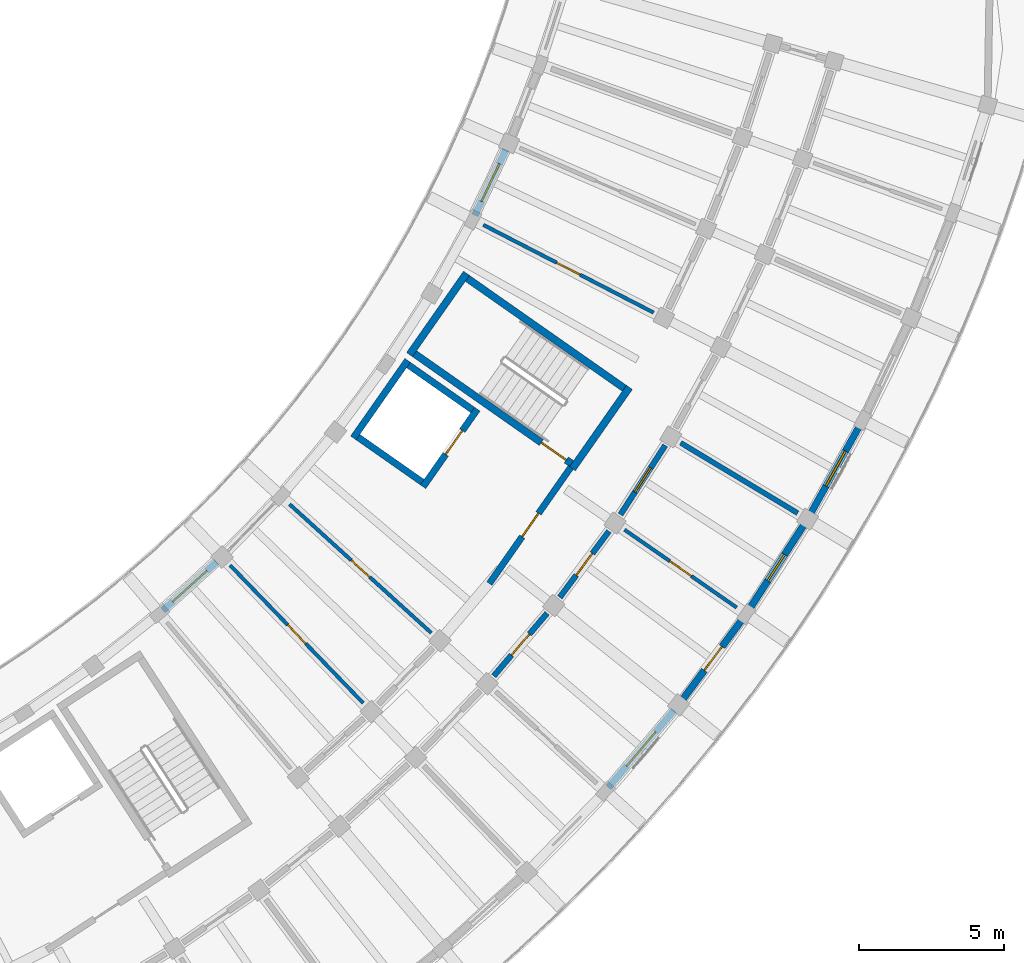
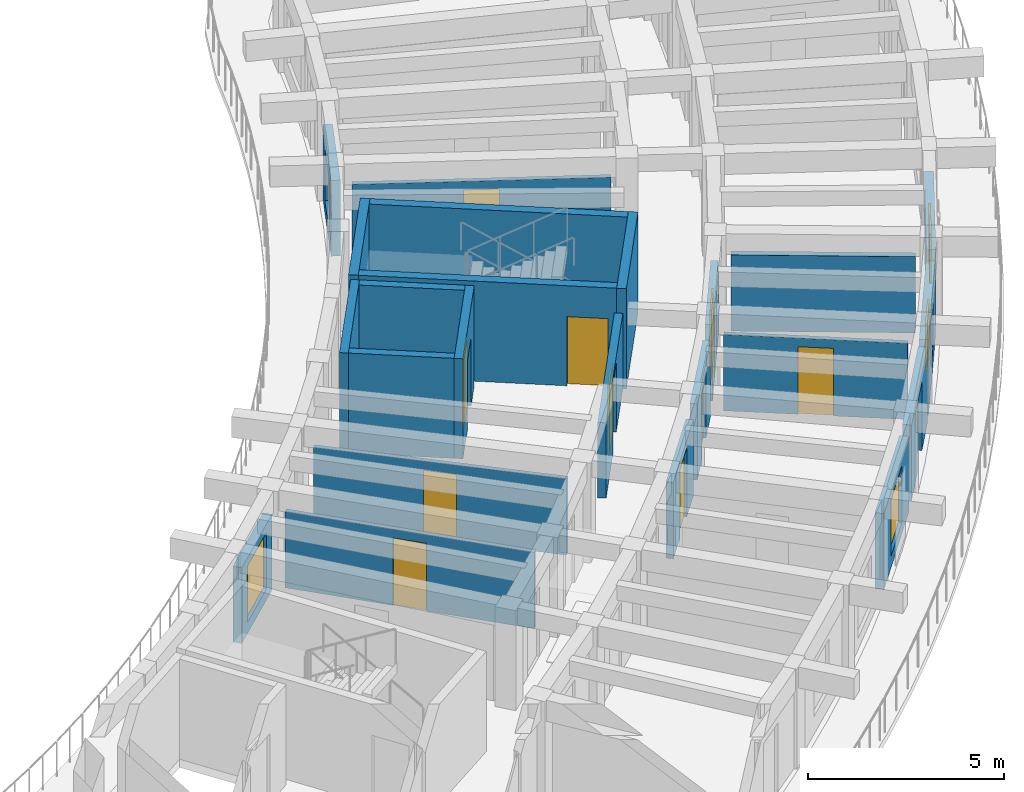
# One storey, part 54 of 81: 23 walls, 11 doors, 5 windows, 16 openings.
"""IFC4 building model written with IfcOpenShell, lengths in metres."""

from ifc_helpers import new_model, si_unit, direction, frame, frame_2d, origin, place, context, subcontext, project, spatial, rectangle, extrude, material, layer, layer_set, type_object, element, fill, save


model = new_model("IFC4")

# Units and contexts
model_context = context("Model", 3, precision=1e-05, world=origin(), true_north=direction((0.0, 1.0)))
body_context = subcontext(model_context, "Body", "Model", "MODEL_VIEW")
ifc_project = project(units=[si_unit("LENGTHUNIT", "METRE"), si_unit("AREAUNIT", "SQUARE_METRE"), si_unit("VOLUMEUNIT", "CUBIC_METRE"), si_unit("PLANEANGLEUNIT", "RADIAN"), si_unit("MASSUNIT", "GRAM", prefix="KILO")], contexts=[model_context])

# Site, building, storey
site_placement = place(None, origin())
site = spatial("IfcSite", under=ifc_project, at=site_placement, CompositionType="ELEMENT")
building_placement = place(site_placement, origin())
building = spatial("IfcBuilding", under=site, at=building_placement, Name="Tanwirah Colonnade Gardens", CompositionType="ELEMENT")
storey_placement = place(building_placement, frame((0.0, 0.0, 8.840087890625)))
storey = spatial("IfcBuildingStorey", under=building, at=storey_placement, Name="L02", CompositionType="ELEMENT", Elevation=8.840087890625)

# Wall, opening, window
ifc_material_1 = material(Name="Limestone architectural precast concrete C40/50", Category="masonry")
ifc_layer_1 = layer(ifc_material_1, 0.239990234375)
ifc_layer_set_1 = layer_set([ifc_layer_1], Name="Limestone architectural precast concrete C40/50")
wall_type_1 = type_object("IfcWallType", Name="EW-PC240", PredefinedType="SOLIDWALL", material=ifc_layer_set_1)
wall_1_placement = place(storey_placement, frame((149.8388671875, 30.681640625, 0.0), z_axis=(0.0, 0.0, 1.0), x_axis=(0.741683903342, 0.670749571393, 0.0)))
wall_1 = element("IfcWall", 1, at=wall_1_placement, inside=storey, type_object=wall_type_1, Name="Block D L02 IN Precast Facade Wall 7", PredefinedType="SOLIDWALL", context=body_context, shape_type="SweptSolid", body=[
    extrude(rectangle(XDim=2.498779296875, YDim=0.239990234375, at=frame_2d((1.24951171875, 0.0))), origin(), (0.0, 0.0, 1.0), 2.35498046875),
])
opening_1_placement = place(wall_1_placement, frame((0.449462890625, 0.0, 0.35009765625)))
opening_1 = element("IfcOpeningElement", 2, at=opening_1_placement, cuts=wall_1, Name="Opening WIN-T10", PredefinedType="OPENING", context=body_context, shape_type="SweptSolid", body=[
    extrude(rectangle(XDim=1.60009765625, YDim=1.75, at=frame_2d((0.800048828125, 0.875))), frame((0.0, 0.1298828125, 0.0), z_axis=(0.0, -1.0, 0.0), x_axis=(1.0, 0.0, 0.0)), (0.0, 0.0, 1.0), 0.260009765625),
])
ifc_material_2 = material(Name="Thermally broken bronze aluminium and solar low-E double glazing", Category="aluminium")
window_type_1 = type_object("IfcWindowType", Name="WIN-T10", PartitioningType="DOUBLE_PANEL_VERTICAL", PredefinedType="WINDOW", material=ifc_material_2)
window_1_placement = place(opening_1_placement, origin())
window_1 = element("IfcWindow", 3, at=window_1_placement, inside=storey, type_object=window_type_1, Name="Facade window D-L02-IN-07", OverallHeight=1.75, OverallWidth=1.60009765625, PartitioningType="SINGLE_PANEL", PredefinedType="WINDOW", context=body_context, shape_type="SweptSolid", body=[
    extrude(rectangle(XDim=1.60009765625, YDim=1.75, at=frame_2d((0.800048828125, 0.875))), frame((0.0, 0.030029296875, 0.0), z_axis=(0.0, -1.0, 0.0), x_axis=(1.0, 0.0, 0.0)), (0.0, 0.0, 1.0), 0.06005859375),
])
fill(opening_1, window_1)

wall_2_placement = place(storey_placement, frame((165.18359375, 24.58251953125, 0.0), z_axis=(0.0, 0.0, 1.0), x_axis=(0.647811002696, 0.761801092665, 0.0)))
wall_2 = element("IfcWall", 4, at=wall_2_placement, inside=storey, type_object=wall_type_1, Name="Block D L02 OUT Precast Facade Wall 9", PredefinedType="SOLIDWALL", context=body_context, shape_type="SweptSolid", body=[
    extrude(rectangle(XDim=3.48681640625, YDim=0.239990234375, at=frame_2d((1.743408203125, 0.0))), origin(), (0.0, 0.0, 1.0), 2.35498046875),
])
opening_2_placement = place(wall_2_placement, frame((0.968505859375, 0.0, 0.35009765625)))
opening_2 = element("IfcOpeningElement", 5, at=opening_2_placement, cuts=wall_2, Name="Opening WIN-T09", PredefinedType="OPENING", context=body_context, shape_type="SweptSolid", body=[
    extrude(rectangle(XDim=1.550048828125, YDim=1.75, at=frame_2d((0.77490234375, 0.875))), frame((0.0, 0.1298828125, 0.0), z_axis=(0.0, -1.0, 0.0), x_axis=(1.0, 0.0, 0.0)), (0.0, 0.0, 1.0), 0.260009765625),
])
window_type_2 = type_object("IfcWindowType", Name="WIN-T09", PartitioningType="DOUBLE_PANEL_VERTICAL", PredefinedType="WINDOW", material=ifc_material_2)
window_2_placement = place(opening_2_placement, origin())
window_2 = element("IfcWindow", 6, at=window_2_placement, inside=storey, type_object=window_type_2, Name="Facade window D-L02-OUT-09", OverallHeight=1.75, OverallWidth=1.550048828125, PartitioningType="SINGLE_PANEL", PredefinedType="WINDOW", context=body_context, shape_type="SweptSolid", body=[
    extrude(rectangle(XDim=1.550048828125, YDim=1.75, at=frame_2d((0.77490234375, 0.875))), frame((0.0, 0.030029296875, 0.0), z_axis=(0.0, -1.0, 0.0), x_axis=(1.0, 0.0, 0.0)), (0.0, 0.0, 1.0), 0.06005859375),
])
fill(opening_2, window_2)

# Wall, opening, door
wall_3_placement = place(storey_placement, frame((167.75341796875, 27.6298828125, 0.0), z_axis=(0.0, 0.0, 1.0), x_axis=(0.596611432616, 0.802530247699, 0.0)))
wall_3 = element("IfcWall", 7, at=wall_3_placement, inside=storey, type_object=wall_type_1, Name="Block D L02 OUT Precast Facade Wall 10", PredefinedType="SOLIDWALL", context=body_context, shape_type="SweptSolid", body=[
    extrude(rectangle(XDim=3.48681640625, YDim=0.239990234375, at=frame_2d((1.743408203125, 0.0))), origin(), (0.0, 0.0, 1.0), 2.35498046875),
])
opening_3_placement = place(wall_3_placement, frame((1.2333984375, 0.0, 0.0)))
opening_3 = element("IfcOpeningElement", 8, at=opening_3_placement, cuts=wall_3, Name="Opening L02-ED184", PredefinedType="OPENING", context=body_context, shape_type="SweptSolid", body=[
    extrude(rectangle(XDim=1.02001953125, YDim=2.139892578125, at=frame_2d((0.510009765625, 1.06982421875))), frame((0.0, 0.1298828125, 0.0), z_axis=(0.0, -1.0, 0.0), x_axis=(1.0, 0.0, 0.0)), (0.0, 0.0, 1.0), 0.260009765625),
])
ifc_material_3 = material(Name="Bronze aluminium glazed balcony door", Category="aluminium")
door_type_1 = type_object("IfcDoorType", Name="ED-BAL102", OperationType="NOTDEFINED", PredefinedType="DOOR", material=ifc_material_3)
door_1_placement = place(opening_3_placement, origin())
door_1 = element("IfcDoor", 9, at=door_1_placement, inside=storey, type_object=door_type_1, Name="Balcony glazed door L02-ED184", OperationType="SINGLE_SWING_LEFT", OverallHeight=2.139892578125, OverallWidth=1.02001953125, PredefinedType="DOOR", context=body_context, shape_type="SweptSolid", body=[
    extrude(rectangle(XDim=1.02001953125, YDim=2.139892578125, at=frame_2d((0.510009765625, 1.06982421875))), frame((0.0, 0.02490234375, 0.0), z_axis=(0.0, -1.0, 0.0), x_axis=(1.0, 0.0, 0.0)), (0.0, 0.0, 1.0), 0.050048828125),
])
fill(opening_3, door_1)

# Wall, opening, window
wall_4_placement = place(storey_placement, frame((170.015869140625, 30.691162109375, 0.0), z_axis=(0.0, 0.0, 1.0), x_axis=(0.542833164741, 0.839840553472, 0.0)))
wall_4 = element("IfcWall", 10, at=wall_4_placement, inside=storey, type_object=wall_type_1, Name="Block D L02 OUT Precast Facade Wall 11", PredefinedType="SOLIDWALL", context=body_context, shape_type="SweptSolid", body=[
    extrude(rectangle(XDim=3.48681640625, YDim=0.239990234375, at=frame_2d((1.743408203125, 0.0))), origin(), (0.0, 0.0, 1.0), 2.35498046875),
])
opening_4_placement = place(wall_4_placement, frame((1.203369140625, 0.0, 0.550048828125)))
opening_4 = element("IfcOpeningElement", 11, at=opening_4_placement, cuts=wall_4, Name="Opening WIN-T15", PredefinedType="OPENING", context=body_context, shape_type="SweptSolid", body=[
    extrude(rectangle(XDim=1.080078125, YDim=1.449951171875, at=frame_2d((0.5400390625, 0.72509765625))), frame((0.0, 0.1298828125, 0.0), z_axis=(0.0, -1.0, 0.0), x_axis=(1.0, 0.0, 0.0)), (0.0, 0.0, 1.0), 0.260009765625),
])
window_type_3 = type_object("IfcWindowType", Name="WIN-T15", PartitioningType="SINGLE_PANEL", PredefinedType="WINDOW", material=ifc_material_2)
window_3_placement = place(opening_4_placement, origin())
window_3 = element("IfcWindow", 12, at=window_3_placement, inside=storey, type_object=window_type_3, Name="Facade window D-L02-OUT-11", OverallHeight=1.449951171875, OverallWidth=1.080078125, PartitioningType="SINGLE_PANEL", PredefinedType="WINDOW", context=body_context, shape_type="SweptSolid", body=[
    extrude(rectangle(XDim=1.080078125, YDim=1.449951171875, at=frame_2d((0.5400390625, 0.72509765625))), frame((0.0, 0.030029296875, 0.0), z_axis=(0.0, -1.0, 0.0), x_axis=(1.0, 0.0, 0.0)), (0.0, 0.0, 1.0), 0.06005859375),
])
fill(opening_4, window_3)

wall_5_placement = place(storey_placement, frame((172.166015625, 34.0478515625, 0.0), z_axis=(0.0, 0.0, 1.0), x_axis=(0.486706738221, 0.87356542455, 0.0)))
wall_5 = element("IfcWall", 13, at=wall_5_placement, inside=storey, type_object=wall_type_1, Name="Block D L02 OUT Precast Facade Wall 12", PredefinedType="SOLIDWALL", context=body_context, shape_type="SweptSolid", body=[
    extrude(rectangle(XDim=3.48681640625, YDim=0.239990234375, at=frame_2d((1.743408203125, 0.0))), origin(), (0.0, 0.0, 1.0), 2.35498046875),
])
opening_5_placement = place(wall_5_placement, frame((1.053466796875, 0.0, 0.550048828125)))
opening_5 = element("IfcOpeningElement", 14, at=opening_5_placement, cuts=wall_5, Name="Opening WIN-T18", PredefinedType="OPENING", context=body_context, shape_type="SweptSolid", body=[
    extrude(rectangle(XDim=1.3798828125, YDim=1.56005859375, at=frame_2d((0.68994140625, 0.780029296875))), frame((0.0, 0.1298828125, 0.0), z_axis=(0.0, -1.0, 0.0), x_axis=(1.0, 0.0, 0.0)), (0.0, 0.0, 1.0), 0.260009765625),
])
window_type_4 = type_object("IfcWindowType", Name="WIN-T18", PartitioningType="DOUBLE_PANEL_VERTICAL", PredefinedType="WINDOW", material=ifc_material_2)
window_4_placement = place(opening_5_placement, origin())
window_4 = element("IfcWindow", 15, at=window_4_placement, inside=storey, type_object=window_type_4, Name="Facade window D-L02-OUT-12", OverallHeight=1.56005859375, OverallWidth=1.3798828125, PartitioningType="SINGLE_PANEL", PredefinedType="WINDOW", context=body_context, shape_type="SweptSolid", body=[
    extrude(rectangle(XDim=1.3798828125, YDim=1.56005859375, at=frame_2d((0.68994140625, 0.780029296875))), frame((0.0, 0.030029296875, 0.0), z_axis=(0.0, -1.0, 0.0), x_axis=(1.0, 0.0, 0.0)), (0.0, 0.0, 1.0), 0.06005859375),
])
fill(opening_5, window_4)

wall_6_placement = place(storey_placement, frame((160.58544921875, 44.2919921875, 0.0), z_axis=(0.0, 0.0, 1.0), x_axis=(0.428514676045, 0.903534820809, 0.0)))
wall_6 = element("IfcWall", 16, at=wall_6_placement, inside=storey, type_object=wall_type_1, Name="Block D L02 IN Precast Facade Wall 13", PredefinedType="SOLIDWALL", context=body_context, shape_type="SweptSolid", body=[
    extrude(rectangle(XDim=2.498779296875, YDim=0.239990234375, at=frame_2d((1.24951171875, 0.0))), origin(), (0.0, 0.0, 1.0), 2.35498046875),
])
opening_6_placement = place(wall_6_placement, frame((0.529296875, 0.0, 0.35009765625)))
opening_6 = element("IfcOpeningElement", 17, at=opening_6_placement, cuts=wall_6, Name="Opening WIN-U08", PredefinedType="OPENING", context=body_context, shape_type="SweptSolid", body=[
    extrude(rectangle(XDim=1.43994140625, YDim=1.659912109375, at=frame_2d((0.719970703125, 0.830078125))), frame((0.0, 0.1298828125, 0.0), z_axis=(0.0, -1.0, 0.0), x_axis=(1.0, 0.0, 0.0)), (0.0, 0.0, 1.0), 0.260009765625),
])
window_type_5 = type_object("IfcWindowType", Name="WIN-U08", PartitioningType="DOUBLE_PANEL_VERTICAL", PredefinedType="WINDOW", material=ifc_material_2)
window_5_placement = place(opening_6_placement, origin())
window_5 = element("IfcWindow", 18, at=window_5_placement, inside=storey, type_object=window_type_5, Name="Facade window D-L02-IN-13", OverallHeight=1.659912109375, OverallWidth=1.43994140625, PartitioningType="SINGLE_PANEL", PredefinedType="WINDOW", context=body_context, shape_type="SweptSolid", body=[
    extrude(rectangle(XDim=1.43994140625, YDim=1.659912109375, at=frame_2d((0.719970703125, 0.830078125))), frame((0.0, 0.030029296875, 0.0), z_axis=(0.0, -1.0, 0.0), x_axis=(1.0, 0.0, 0.0)), (0.0, 0.0, 1.0), 0.06005859375),
])
fill(opening_6, window_5)

# Wall, opening, door
ifc_material_4 = material(Name="Precast concrete C40/50", Category="concrete")
ifc_layer_2 = layer(ifc_material_4, 0.195068359375)
ifc_layer_set_2 = layer_set([ifc_layer_2], Name="Precast concrete C40/50")
wall_type_2 = type_object("IfcWallType", Name="IW-CORR195", PredefinedType="PARTITIONING", material=ifc_layer_set_2)
wall_7_placement = place(storey_placement, frame((161.235595703125, 28.42529296875, 0.0), z_axis=(0.0, 0.0, 1.0), x_axis=(0.64778830669, 0.761820392032, 0.0)))
wall_7 = element("IfcWall", 19, at=wall_7_placement, inside=storey, type_object=wall_type_2, Name="Block D L02 OUT Corridor Wall 9", PredefinedType="PARTITIONING", context=body_context, shape_type="SweptSolid", body=[
    extrude(rectangle(XDim=2.8369140625, YDim=0.195068359375, at=frame_2d((1.41845703125, 0.0))), origin(), (0.0, 0.0, 1.0), 2.369873046875),
])
opening_7_placement = place(wall_7_placement, frame((0.943603515625, 0.0, 0.0)))
opening_7 = element("IfcOpeningElement", 20, at=opening_7_placement, cuts=wall_7, Name="Opening L02-AD1746", PredefinedType="OPENING", context=body_context, shape_type="SweptSolid", body=[
    extrude(rectangle(XDim=0.949951171875, YDim=2.1298828125, at=frame_2d((0.47509765625, 1.06494140625))), frame((0.0, 0.107421875, 0.0), z_axis=(0.0, -1.0, 0.0), x_axis=(1.0, 0.0, 0.0)), (0.0, 0.0, 1.0), 0.215087890625),
])
ifc_material_5 = material(Name="Solid oak fire-resisting apartment entrance door")
door_type_2 = type_object("IfcDoorType", Name="ID-FLT095", OperationType="NOTDEFINED", PredefinedType="DOOR", material=ifc_material_5)
door_2_placement = place(opening_7_placement, origin())
door_2 = element("IfcDoor", 21, at=door_2_placement, inside=storey, type_object=door_type_2, Name="Apartment corridor door L02-AD1746", OperationType="SINGLE_SWING_RIGHT", OverallHeight=2.1298828125, OverallWidth=0.949951171875, PredefinedType="DOOR", context=body_context, shape_type="SweptSolid", body=[
    extrude(rectangle(XDim=0.949951171875, YDim=2.1298828125, at=frame_2d((0.47509765625, 1.06494140625))), frame((0.0, 0.02490234375, 0.0), z_axis=(0.0, -1.0, 0.0), x_axis=(1.0, 0.0, 0.0)), (0.0, 0.0, 1.0), 0.050048828125),
])
fill(opening_7, door_2)

wall_8_placement = place(storey_placement, frame((163.5087890625, 31.134033203125, 0.0), z_axis=(0.0, 0.0, 1.0), x_axis=(0.596552136601, 0.802574325727, 0.0)))
wall_8 = element("IfcWall", 22, at=wall_8_placement, inside=storey, type_object=wall_type_2, Name="Block D L02 OUT Corridor Wall 10", PredefinedType="PARTITIONING", context=body_context, shape_type="SweptSolid", body=[
    extrude(rectangle(XDim=2.8369140625, YDim=0.195068359375, at=frame_2d((1.41845703125, 0.0))), origin(), (0.0, 0.0, 1.0), 2.369873046875),
])
opening_8_placement = place(wall_8_placement, frame((0.95361328125, 0.0, 0.0)))
opening_8 = element("IfcOpeningElement", 23, at=opening_8_placement, cuts=wall_8, Name="Opening L02-AD1747", PredefinedType="OPENING", context=body_context, shape_type="SweptSolid", body=[
    extrude(rectangle(XDim=0.929931640625, YDim=2.1201171875, at=frame_2d((0.46484375, 1.06005859375))), frame((0.0, 0.107421875, 0.0), z_axis=(0.0, -1.0, 0.0), x_axis=(1.0, 0.0, 0.0)), (0.0, 0.0, 1.0), 0.215087890625),
])
door_type_3 = type_object("IfcDoorType", Name="ID-FLT093", OperationType="NOTDEFINED", PredefinedType="DOOR", material=ifc_material_5)
door_3_placement = place(opening_8_placement, origin())
door_3 = element("IfcDoor", 24, at=door_3_placement, inside=storey, type_object=door_type_3, Name="Apartment corridor door L02-AD1747", OperationType="SINGLE_SWING_LEFT", OverallHeight=2.1201171875, OverallWidth=0.929931640625, PredefinedType="DOOR", context=body_context, shape_type="SweptSolid", body=[
    extrude(rectangle(XDim=0.929931640625, YDim=2.1201171875, at=frame_2d((0.46484375, 1.06005859375))), frame((0.0, 0.02490234375, 0.0), z_axis=(0.0, -1.0, 0.0), x_axis=(1.0, 0.0, 0.0)), (0.0, 0.0, 1.0), 0.050048828125),
])
fill(opening_8, door_3)

wall_9_placement = place(storey_placement, frame((165.60009765625, 33.985595703125, 0.0), z_axis=(0.0, 0.0, 1.0), x_axis=(0.542787304957, 0.83987019329, 0.0)))
wall_9 = element("IfcWall", 25, at=wall_9_placement, inside=storey, type_object=wall_type_2, Name="Block D L02 OUT Corridor Wall 11", PredefinedType="PARTITIONING", context=body_context, shape_type="SweptSolid", body=[
    extrude(rectangle(XDim=2.8369140625, YDim=0.195068359375, at=frame_2d((1.41845703125, 0.0))), origin(), (0.0, 0.0, 1.0), 2.369873046875),
])
opening_9_placement = place(wall_9_placement, frame((0.923583984375, 0.0, 0.0)))
opening_9 = element("IfcOpeningElement", 26, at=opening_9_placement, cuts=wall_9, Name="Opening L02-AD1749", PredefinedType="OPENING", context=body_context, shape_type="SweptSolid", body=[
    extrude(rectangle(XDim=0.989990234375, YDim=2.159912109375, at=frame_2d((0.4951171875, 1.080078125))), frame((0.0, 0.107421875, 0.0), z_axis=(0.0, -1.0, 0.0), x_axis=(1.0, 0.0, 0.0)), (0.0, 0.0, 1.0), 0.215087890625),
])
door_type_4 = type_object("IfcDoorType", Name="ID-FLT099", OperationType="NOTDEFINED", PredefinedType="DOOR", material=ifc_material_5)
door_4_placement = place(opening_9_placement, origin())
door_4 = element("IfcDoor", 27, at=door_4_placement, inside=storey, type_object=door_type_4, Name="Apartment corridor door L02-AD1749", OperationType="SINGLE_SWING_RIGHT", OverallHeight=2.159912109375, OverallWidth=0.989990234375, PredefinedType="DOOR", context=body_context, shape_type="SweptSolid", body=[
    extrude(rectangle(XDim=0.989990234375, YDim=2.159912109375, at=frame_2d((0.4951171875, 1.080078125))), frame((0.0, 0.02490234375, 0.0), z_axis=(0.0, -1.0, 0.0), x_axis=(1.0, 0.0, 0.0)), (0.0, 0.0, 1.0), 0.050048828125),
])
fill(opening_9, door_4)

# Wall
ifc_layer_3 = layer(ifc_material_4, 0.175048828125)
ifc_layer_set_3 = layer_set([ifc_layer_3], Name="Precast concrete C40/50")
wall_type_3 = type_object("IfcWallType", Name="IW-DEM175", PredefinedType="PARTITIONING", material=ifc_layer_set_3)
wall_10_placement = place(storey_placement, frame((167.6728515625, 36.456298828125, 0.0), z_axis=(0.0, 0.0, 1.0), x_axis=(0.857139805444, -0.515083831937, 0.0)))
element("IfcWall", 28, at=wall_10_placement, inside=storey, type_object=wall_type_3, Name="Block D L02 Radial Partition 11", PredefinedType="PARTITIONING", context=body_context, shape_type="SweptSolid", body=[
    extrude(rectangle(XDim=4.699951171875, YDim=0.175048828125, at=frame_2d((2.35009765625, 0.0))), origin(), (0.0, 0.0, 1.0), 2.369873046875),
])

# Wall, opening, door
ifc_material_6 = material(Name="Autoclaved aerated masonry blockwork", Category="masonry")
ifc_layer_4 = layer(ifc_material_6, 0.219970703125)
ifc_layer_set_4 = layer_set([ifc_layer_4], Name="Autoclaved aerated masonry blockwork")
wall_type_4 = type_object("IfcWallType", Name="IW-FFL220", PredefinedType="PARTITIONING", material=ifc_layer_set_4)
wall_11_placement = place(storey_placement, frame((163.89501953125, 35.624267578125, 0.0), z_axis=(0.0, 0.0, 1.0), x_axis=(-0.573572687386, -0.819154669329, 0.0)))
wall_11 = element("IfcWall", 29, at=wall_11_placement, inside=storey, type_object=wall_type_4, Name="CORE-D2 L02 Enclosed Lobby Fire Wall", PredefinedType="PARTITIONING", context=body_context, shape_type="SweptSolid", body=[
    extrude(rectangle(XDim=4.900146484375, YDim=0.219970703125, at=frame_2d((2.4501953125, 0.0))), origin(), (0.0, 0.0, 1.0), 2.33984375),
])
opening_10_placement = place(wall_11_placement, frame((1.949951171875, 0.0, 0.0)))
opening_10 = element("IfcOpeningElement", 30, at=opening_10_placement, cuts=wall_11, Name="Opening L02-LD202", PredefinedType="OPENING", context=body_context, shape_type="SweptSolid", body=[
    extrude(rectangle(XDim=0.97998046875, YDim=2.139892578125, at=frame_2d((0.489990234375, 1.06982421875))), frame((0.0, 0.119873046875, 0.0), z_axis=(0.0, -1.0, 0.0), x_axis=(1.0, 0.0, 0.0)), (0.0, 0.0, 1.0), 0.239990234375),
])
ifc_material_7 = material(Name="Acoustic fire-resisting lobby door")
door_type_5 = type_object("IfcDoorType", Name="ID-FFL098", OperationType="NOTDEFINED", PredefinedType="DOOR", material=ifc_material_7)
door_5_placement = place(opening_10_placement, origin())
door_5 = element("IfcDoor", 31, at=door_5_placement, inside=storey, type_object=door_type_5, Name="CORE-D2 L02 Lobby Fire Door L02-LD202", OperationType="SINGLE_SWING_LEFT", OverallHeight=2.139892578125, OverallWidth=0.97998046875, PredefinedType="DOOR", context=body_context, shape_type="SweptSolid", body=[
    extrude(rectangle(XDim=0.97998046875, YDim=2.139892578125, at=frame_2d((0.489990234375, 1.06982421875))), frame((0.0, 0.02490234375, 0.0), z_axis=(0.0, -1.0, 0.0), x_axis=(1.0, 0.0, 0.0)), (0.0, 0.0, 1.0), 0.050048828125),
])
fill(opening_10, door_5)

ifc_material_8 = material(Name="Moisture-resistant gypsum stud partition")
ifc_layer_5 = layer(ifc_material_8, 0.125)
ifc_layer_set_5 = layer_set([ifc_layer_5], Name="Moisture-resistant gypsum stud partition")
wall_type_5 = type_object("IfcWallType", Name="IW-INT125", PredefinedType="PARTITIONING", material=ifc_layer_set_5)
wall_12_placement = place(storey_placement, frame((152.155517578125, 32.237548828125, 0.0), z_axis=(0.0, 0.0, 1.0), x_axis=(0.69466250658, -0.71933580611, 0.0)))
wall_12 = element("IfcWall", 32, at=wall_12_placement, inside=storey, type_object=wall_type_5, Name="Block D L02 Inner Radial Partition 7", PredefinedType="PARTITIONING", context=body_context, shape_type="SweptSolid", body=[
    extrude(rectangle(XDim=6.599853515625, YDim=0.125, at=frame_2d((3.2998046875, 0.0))), origin(), (0.0, 0.0, 1.0), 2.369873046875),
])
opening_11_placement = place(wall_12_placement, frame((2.85498046875, 0.0, 0.0)))
opening_11 = element("IfcOpeningElement", 33, at=opening_11_placement, cuts=wall_12, Name="Opening L02-RD1741", PredefinedType="OPENING", context=body_context, shape_type="SweptSolid", body=[
    extrude(rectangle(XDim=0.889892578125, YDim=2.10009765625, at=frame_2d((0.44482421875, 1.050048828125))), frame((0.0, 0.072509765625, 0.0), z_axis=(0.0, -1.0, 0.0), x_axis=(1.0, 0.0, 0.0)), (0.0, 0.0, 1.0), 0.14501953125),
])
ifc_material_9 = material(Name="Painted hardwood bedroom door", Category="wood")
door_type_6 = type_object("IfcDoorType", Name="ID-RM089", OperationType="NOTDEFINED", PredefinedType="DOOR", material=ifc_material_9)
door_6_placement = place(opening_11_placement, origin())
door_6 = element("IfcDoor", 34, at=door_6_placement, inside=storey, type_object=door_type_6, Name="Internal apartment door L02-RD1741", OperationType="SINGLE_SWING_LEFT", OverallHeight=2.10009765625, OverallWidth=0.889892578125, PredefinedType="DOOR", context=body_context, shape_type="SweptSolid", body=[
    extrude(rectangle(XDim=0.889892578125, YDim=2.10009765625, at=frame_2d((0.44482421875, 1.050048828125))), frame((0.0, 0.02490234375, 0.0), z_axis=(0.0, -1.0, 0.0), x_axis=(1.0, 0.0, 0.0)), (0.0, 0.0, 1.0), 0.050048828125),
])
fill(opening_11, door_6)

wall_13_placement = place(storey_placement, frame((154.19873046875, 34.34423828125, 0.0), z_axis=(0.0, 0.0, 1.0), x_axis=(0.74023124711, -0.672352363573, 0.0)))
wall_13 = element("IfcWall", 35, at=wall_13_placement, inside=storey, type_object=wall_type_5, Name="Block D L02 Inner Radial Partition 8", PredefinedType="PARTITIONING", context=body_context, shape_type="SweptSolid", body=[
    extrude(rectangle(XDim=6.599853515625, YDim=0.125, at=frame_2d((3.2998046875, 0.0))), origin(), (0.0, 0.0, 1.0), 2.369873046875),
])
opening_12_placement = place(wall_13_placement, frame((2.864990234375, 0.0, 0.0)))
opening_12 = element("IfcOpeningElement", 36, at=opening_12_placement, cuts=wall_13, Name="Opening L02-RD1745", PredefinedType="OPENING", context=body_context, shape_type="SweptSolid", body=[
    extrude(rectangle(XDim=0.8701171875, YDim=2.080078125, at=frame_2d((0.43505859375, 1.0400390625))), frame((0.0, 0.072509765625, 0.0), z_axis=(0.0, -1.0, 0.0), x_axis=(1.0, 0.0, 0.0)), (0.0, 0.0, 1.0), 0.14501953125),
])
ifc_material_10 = material(Name="Painted hardwood study door", Category="wood")
door_type_7 = type_object("IfcDoorType", Name="ID-RM087", OperationType="NOTDEFINED", PredefinedType="DOOR", material=ifc_material_10)
door_7_placement = place(opening_12_placement, origin())
door_7 = element("IfcDoor", 37, at=door_7_placement, inside=storey, type_object=door_type_7, Name="Internal apartment door L02-RD1745", OperationType="SINGLE_SWING_RIGHT", OverallHeight=2.080078125, OverallWidth=0.8701171875, PredefinedType="DOOR", context=body_context, shape_type="SweptSolid", body=[
    extrude(rectangle(XDim=0.8701171875, YDim=2.080078125, at=frame_2d((0.43505859375, 1.0400390625))), frame((0.0, 0.02490234375, 0.0), z_axis=(0.0, -1.0, 0.0), x_axis=(1.0, 0.0, 0.0)), (0.0, 0.0, 1.0), 0.050048828125),
])
fill(opening_12, door_7)

wall_14_placement = place(storey_placement, frame((165.73876953125, 33.463623046875, 0.0), z_axis=(0.0, 0.0, 1.0), x_axis=(0.821638260647, -0.570009270663, 0.0)))
wall_14 = element("IfcWall", 38, at=wall_14_placement, inside=storey, type_object=wall_type_5, Name="Block D L02 Radial Partition 10", PredefinedType="PARTITIONING", context=body_context, shape_type="SweptSolid", body=[
    extrude(rectangle(XDim=4.699951171875, YDim=0.125, at=frame_2d((2.35009765625, 0.0))), origin(), (0.0, 0.0, 1.0), 2.369873046875),
])
opening_13_placement = place(wall_14_placement, frame((1.89501953125, 0.0, 0.0)))
opening_13 = element("IfcOpeningElement", 39, at=opening_13_placement, cuts=wall_14, Name="Opening L02-RD1748", PredefinedType="OPENING", context=body_context, shape_type="SweptSolid", body=[
    extrude(rectangle(XDim=0.909912109375, YDim=2.10009765625, at=frame_2d((0.455078125, 1.050048828125))), frame((0.0, 0.072509765625, 0.0), z_axis=(0.0, -1.0, 0.0), x_axis=(1.0, 0.0, 0.0)), (0.0, 0.0, 1.0), 0.14501953125),
])
ifc_material_11 = material(Name="Painted hardwood internal room door", Category="wood")
door_type_8 = type_object("IfcDoorType", Name="ID-RM091", OperationType="NOTDEFINED", PredefinedType="DOOR", material=ifc_material_11)
door_8_placement = place(opening_13_placement, origin())
door_8 = element("IfcDoor", 40, at=door_8_placement, inside=storey, type_object=door_type_8, Name="Internal apartment door L02-RD1748", OperationType="SINGLE_SWING_LEFT", OverallHeight=2.10009765625, OverallWidth=0.909912109375, PredefinedType="DOOR", context=body_context, shape_type="SweptSolid", body=[
    extrude(rectangle(XDim=0.909912109375, YDim=2.10009765625, at=frame_2d((0.455078125, 1.050048828125))), frame((0.0, 0.02490234375, 0.0), z_axis=(0.0, -1.0, 0.0), x_axis=(1.0, 0.0, 0.0)), (0.0, 0.0, 1.0), 0.050048828125),
])
fill(opening_13, door_8)

wall_15_placement = place(storey_placement, frame((160.872314453125, 43.96435546875, 0.0), z_axis=(0.0, 0.0, 1.0), x_axis=(0.889022010753, -0.457864460727, 0.0)))
wall_15 = element("IfcWall", 41, at=wall_15_placement, inside=storey, type_object=wall_type_5, Name="Block D L02 Inner Radial Partition 12", PredefinedType="PARTITIONING", context=body_context, shape_type="SweptSolid", body=[
    extrude(rectangle(XDim=6.60009765625, YDim=0.125, at=frame_2d((3.300048828125, 0.0))), origin(), (0.0, 0.0, 1.0), 2.369873046875),
])
opening_14_placement = place(wall_15_placement, frame((2.844970703125, 0.0, 0.0)))
opening_14 = element("IfcOpeningElement", 42, at=opening_14_placement, cuts=wall_15, Name="Opening L02-RD1751", PredefinedType="OPENING", context=body_context, shape_type="SweptSolid", body=[
    extrude(rectangle(XDim=0.909912109375, YDim=2.10009765625, at=frame_2d((0.455078125, 1.050048828125))), frame((0.0, 0.072509765625, 0.0), z_axis=(0.0, -1.0, 0.0), x_axis=(1.0, 0.0, 0.0)), (0.0, 0.0, 1.0), 0.14501953125),
])
door_9_placement = place(opening_14_placement, origin())
door_9 = element("IfcDoor", 43, at=door_9_placement, inside=storey, type_object=door_type_8, Name="Internal apartment door L02-RD1751", OperationType="SINGLE_SWING_RIGHT", OverallHeight=2.10009765625, OverallWidth=0.909912109375, PredefinedType="DOOR", context=body_context, shape_type="SweptSolid", body=[
    extrude(rectangle(XDim=0.909912109375, YDim=2.10009765625, at=frame_2d((0.455078125, 1.050048828125))), frame((0.0, 0.02490234375, 0.0), z_axis=(0.0, -1.0, 0.0), x_axis=(1.0, 0.0, 0.0)), (0.0, 0.0, 1.0), 0.050048828125),
])
fill(opening_14, door_9)

# Walls
ifc_material_12 = material(Name="Concrete C45/55", Category="concrete")
ifc_layer_6 = layer(ifc_material_12, 0.25)
ifc_layer_set_6 = layer_set([ifc_layer_6], Name="Concrete C45/55")
wall_type_6 = type_object("IfcWallType", Name="SW-CORE250", PredefinedType="SHEAR", material=ifc_layer_set_6)
wall_16_placement = place(storey_placement, frame((165.732666015625, 38.335693359375, 0.0), z_axis=(0.0, 0.0, 1.0), x_axis=(-0.819153711596, 0.573574055182, 0.0)))
element("IfcWall", 44, at=wall_16_placement, inside=storey, type_object=wall_type_6, Name="CORE-D2 L02 Stair Shaft Shear Wall LEFT", PredefinedType="SHEAR", context=body_context, shape_type="SweptSolid", body=[
    extrude(rectangle(XDim=6.60009765625, YDim=0.25, at=frame_2d((3.300048828125, 0.0))), origin(), (0.0, 0.0, 1.0), 3.10986328125),
])
for number, where, z_axis, x_axis, name in (
    (45, (160.29541015625, 42.29541015625, 0.0), (0.0, 0.0, 1.0), (-0.573582112484, -0.819148069789, 0.0), "CORE-D2 L02 Stair Shaft Shear Wall FAR"),
    (46, (165.90673828125, 38.366455078125, 0.0), (0.0, 0.0, 1.0), (-0.573582112484, -0.819148069789, 0.0), "CORE-D2 L02 Stair Shaft Shear Wall NEAR"),
):
    element("IfcWall", number, at=place(storey_placement, frame(where, z_axis=z_axis, x_axis=x_axis)), inside=storey, type_object=wall_type_6, Name=name, PredefinedType="SHEAR", context=body_context, shape_type="SweptSolid", body=[
        extrude(rectangle(XDim=3.419921875, YDim=0.25, at=frame_2d((1.7099609375, 0.0))), origin(), (0.0, 0.0, 1.0), 3.10986328125),
    ])

# Wall, opening, door
wall_17_placement = place(storey_placement, frame((163.914306640625, 35.739013671875, 0.0), z_axis=(0.0, 0.0, 1.0), x_axis=(-0.819153711596, 0.573574055182, 0.0)))
wall_17 = element("IfcWall", 47, at=wall_17_placement, inside=storey, type_object=wall_type_6, Name="CORE-D2 L02 Stair Shaft Shear Wall RIGHT", PredefinedType="SHEAR", context=body_context, shape_type="SweptSolid", body=[
    extrude(rectangle(XDim=6.60009765625, YDim=0.25, at=frame_2d((3.300048828125, 0.0))), origin(), (0.0, 0.0, 1.0), 3.10986328125),
])
opening_15_placement = place(wall_17_placement, frame((0.219970703125, 0.0, 0.0)))
opening_15 = element("IfcOpeningElement", 48, at=opening_15_placement, cuts=wall_17, Name="Opening L02-SD192", PredefinedType="OPENING", context=body_context, shape_type="SweptSolid", body=[
    extrude(rectangle(XDim=1.050048828125, YDim=2.14990234375, at=frame_2d((0.52490234375, 1.074951171875))), frame((0.0, 0.135009765625, 0.0), z_axis=(0.0, -1.0, 0.0), x_axis=(1.0, 0.0, 0.0)), (0.0, 0.0, 1.0), 0.27001953125),
])
ifc_material_13 = material(Name="Steel fire-resisting stair enclosure door", Category="steel")
door_type_9 = type_object("IfcDoorType", Name="ID-ST105", OperationType="NOTDEFINED", PredefinedType="DOOR", material=ifc_material_13)
door_10_placement = place(opening_15_placement, origin())
door_10 = element("IfcDoor", 49, at=door_10_placement, inside=storey, type_object=door_type_9, Name="CORE-D2 L02 Stair Fire Door L02-SD192", OperationType="SINGLE_SWING_LEFT", OverallHeight=2.14990234375, OverallWidth=1.050048828125, PredefinedType="DOOR", context=body_context, shape_type="SweptSolid", body=[
    extrude(rectangle(XDim=1.050048828125, YDim=2.14990234375, at=frame_2d((0.52490234375, 1.074951171875))), frame((0.0, 0.02490234375, 0.0), z_axis=(0.0, -1.0, 0.0), x_axis=(1.0, 0.0, 0.0)), (0.0, 0.0, 1.0), 0.050048828125),
])
fill(opening_15, door_10)

ifc_layer_7 = layer(ifc_material_12, 0.22998046875)
ifc_layer_set_7 = layer_set([ifc_layer_7], Name="Concrete C45/55")
wall_type_7 = type_object("IfcWallType", Name="SW-LIFT230", PredefinedType="SHEAR", material=ifc_layer_set_7)
wall_18_placement = place(storey_placement, frame((160.66845703125, 37.614990234375, 0.0), z_axis=(0.0, 0.0, 1.0), x_axis=(-0.573582966431, -0.819147471839, 0.0)))
wall_18 = element("IfcWall", 50, at=wall_18_placement, inside=storey, type_object=wall_type_7, Name="CORE-D2 L02 Lift Shaft Wall FRONT", PredefinedType="SHEAR", context=body_context, shape_type="SweptSolid", body=[
    extrude(rectangle(XDim=3.260009765625, YDim=0.22998046875, at=frame_2d((1.6298828125, 0.0))), origin(), (0.0, 0.0, 1.0), 3.10986328125),
])
opening_16_placement = place(wall_18_placement, frame((0.89990234375, 0.0, 0.0)))
opening_16 = element("IfcOpeningElement", 51, at=opening_16_placement, cuts=wall_18, Name="Opening L02-LD-PL-D2", PredefinedType="OPENING", context=body_context, shape_type="SweptSolid", body=[
    extrude(rectangle(XDim=1.0, YDim=2.14990234375, at=frame_2d((0.5, 1.074951171875))), frame((0.0, 0.125, 0.0), z_axis=(0.0, -1.0, 0.0), x_axis=(1.0, 0.0, 0.0)), (0.0, 0.0, 1.0), 0.25),
])
ifc_material_14 = material(Name="Bronze stainless steel sliding lift landing door", Category="steel")
door_type_10 = type_object("IfcDoorType", Name="LD-PS10", OperationType="DOUBLE_DOOR_SLIDING", PredefinedType="DOOR", material=ifc_material_14)
door_11_placement = place(opening_16_placement, origin())
door_11 = element("IfcDoor", 52, at=door_11_placement, inside=storey, type_object=door_type_10, Name="Lift PL-D2 L02 Sliding Landing Door", OperationType="DOUBLE_DOOR_SLIDING", OverallHeight=2.14990234375, OverallWidth=1.0, PredefinedType="DOOR", context=body_context, shape_type="SweptSolid", body=[
    extrude(rectangle(XDim=1.0, YDim=2.14990234375, at=frame_2d((0.5, 1.074951171875))), frame((0.0, 0.02490234375, 0.0), z_axis=(0.0, -1.0, 0.0), x_axis=(1.0, 0.0, 0.0)), (0.0, 0.0, 1.0), 0.050048828125),
])
fill(opening_16, door_11)

# Walls
wall_19_placement = place(storey_placement, frame((158.268310546875, 39.295654296875, 0.0), z_axis=(0.0, 0.0, 1.0), x_axis=(-0.573582966431, -0.819147471839, 0.0)))
element("IfcWall", 53, at=wall_19_placement, inside=storey, type_object=wall_type_7, Name="CORE-D2 L02 Lift Shaft Wall BACK", PredefinedType="SHEAR", context=body_context, shape_type="SweptSolid", body=[
    extrude(rectangle(XDim=3.260009765625, YDim=0.22998046875, at=frame_2d((1.6298828125, 0.0))), origin(), (0.0, 0.0, 1.0), 3.10986328125),
])
wall_20_placement = place(storey_placement, frame((160.50830078125, 37.5869140625, 0.0), z_axis=(0.0, 0.0, 1.0), x_axis=(-0.819189439894, 0.573523026186, 0.0)))
element("IfcWall", 54, at=wall_20_placement, inside=storey, type_object=wall_type_7, Name="CORE-D2 L02 Lift Shaft Wall SIDEA", PredefinedType="SHEAR", context=body_context, shape_type="SweptSolid", body=[
    extrude(rectangle(XDim=2.7001953125, YDim=0.22998046875, at=frame_2d((1.35009765625, 0.0))), origin(), (0.0, 0.0, 1.0), 3.10986328125),
])
wall_21_placement = place(storey_placement, frame((158.770263671875, 35.104736328125, 0.0), z_axis=(0.0, 0.0, 1.0), x_axis=(-0.819117209968, 0.573626181702, 0.0)))
element("IfcWall", 55, at=wall_21_placement, inside=storey, type_object=wall_type_7, Name="CORE-D2 L02 Lift Shaft Wall SIDEB", PredefinedType="SHEAR", context=body_context, shape_type="SweptSolid", body=[
    extrude(rectangle(XDim=2.699951171875, YDim=0.22998046875, at=frame_2d((1.35009765625, 0.0))), origin(), (0.0, 0.0, 1.0), 3.10986328125),
])

save(model, "model.ifc")
